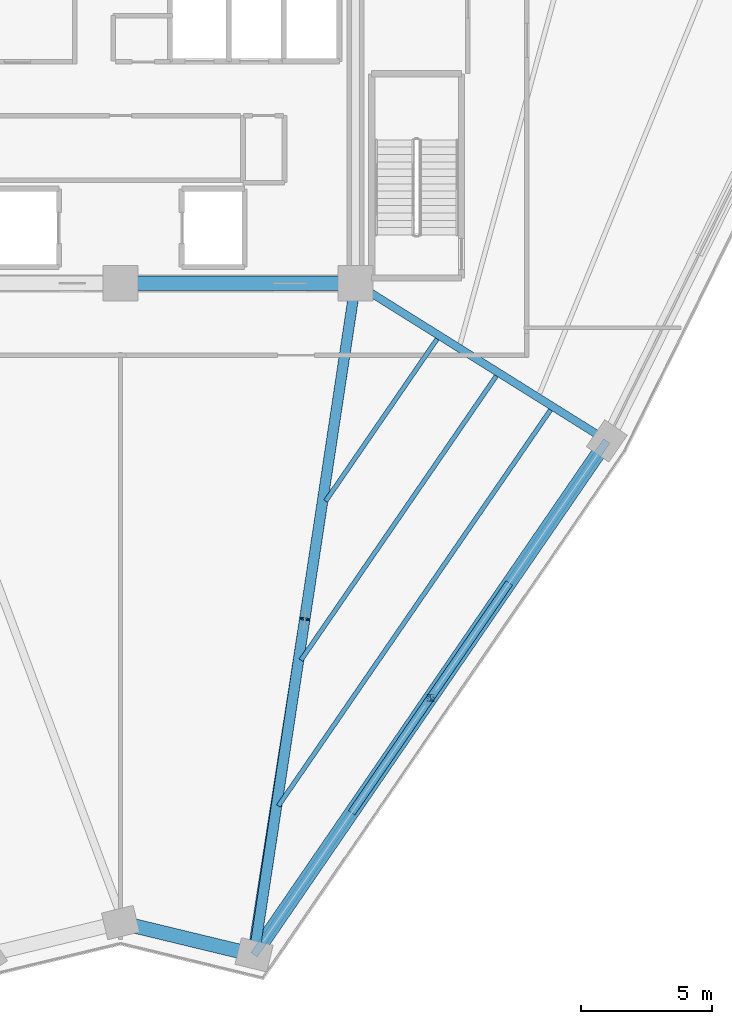
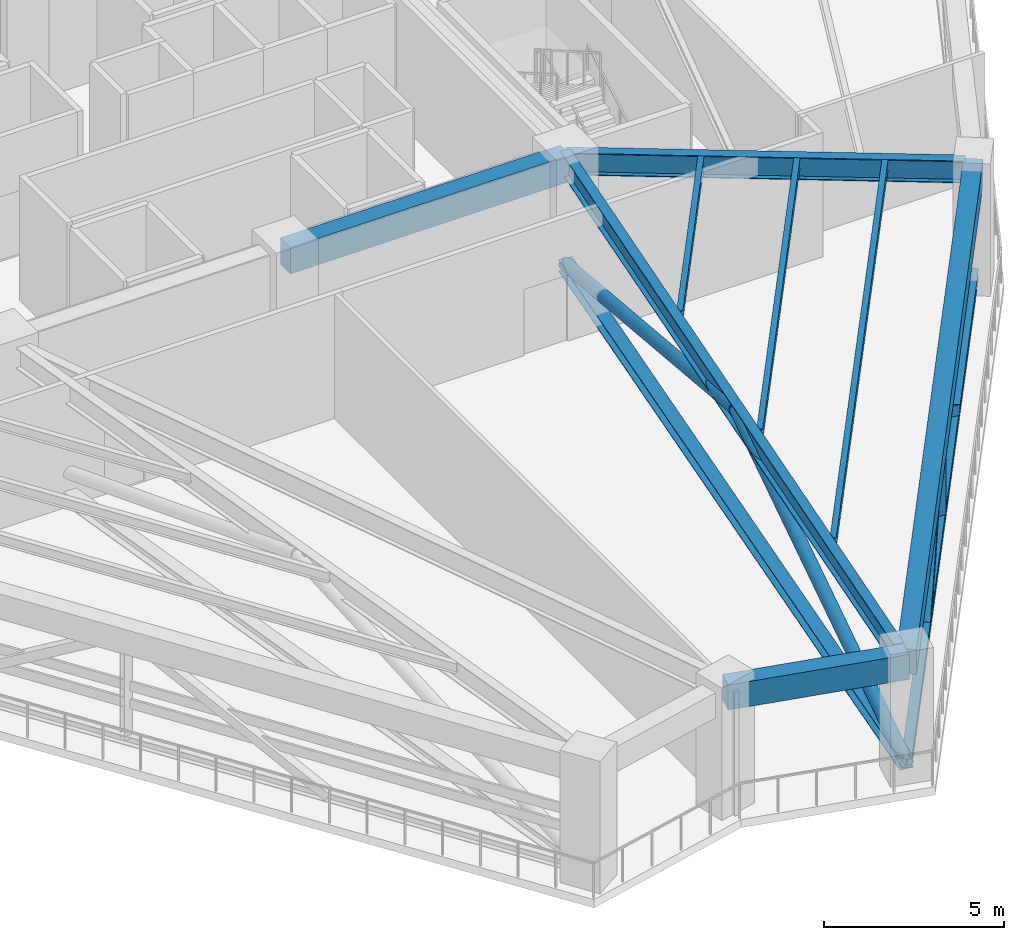
# One storey, part 3 of 22: 8 beams, 7 members.
"""IFC4 building model written with IfcOpenShell, lengths in metres."""

from ifc_helpers import new_model, si_unit, direction, frame, origin, origin_2d, place, context, subcontext, project, spatial, rectangle, hollow_rectangle, hollow_circle, i_section, extrude, source, transform, mapped, material, material_profile, profile_set, type_object, element, save


model = new_model("IFC4")

# Units and contexts
model_context = context("Model", 3, precision=1e-05, world=origin(), true_north=direction((0.0, 1.0)))
body_context = subcontext(model_context, "Body", "Model", "MODEL_VIEW")
ifc_project = project(units=[si_unit("LENGTHUNIT", "METRE"), si_unit("AREAUNIT", "SQUARE_METRE"), si_unit("VOLUMEUNIT", "CUBIC_METRE"), si_unit("PLANEANGLEUNIT", "RADIAN"), si_unit("MASSUNIT", "GRAM", prefix="KILO")], contexts=[model_context])

# Site, building, storey
site_placement = place(None, origin())
site = spatial("IfcSite", under=ifc_project, at=site_placement, CompositionType="ELEMENT")
building_placement = place(site_placement, origin())
building = spatial("IfcBuilding", under=site, at=building_placement, Name="Liaohun Quay Tower", CompositionType="ELEMENT")
storey_placement = place(building_placement, frame((0.0, 0.0, 277.5)))
storey = spatial("IfcBuildingStorey", under=building, at=storey_placement, Name="L72", CompositionType="ELEMENT", Elevation=277.5)

# Member
ifc_material_1 = material(Name="Steel Q355D", Category="steel")
ifc_material_profile_1 = material_profile(ifc_material_1, i_section(OverallWidth=0.25, OverallDepth=0.25, WebThickness=0.009033203125, FlangeThickness=0.013916015625, at=origin_2d()), Name="HW250x250x9x14")
ifc_profile_set_1 = profile_set([ifc_material_profile_1], Name="Steel Q355D")
member_type_1 = type_object("IfcMemberType", Name="MEM-BLT-PST", PredefinedType="POST", material=ifc_profile_set_1)
shared_shape_1 = source(origin(), body_context, "Body", "SweptSolid", [
    extrude(i_section(OverallWidth=0.25, OverallDepth=0.25, WebThickness=0.009033203125, FlangeThickness=0.013916015625, at=origin_2d()), origin(), (0.0, 0.0, 1.0), 3.56982421875),
])
member_1_placement = place(storey_placement, frame((71.8701171875, 30.6220703125, 0.35009765625), z_axis=(0.0, 0.0, 1.0), x_axis=(1.0, 0.0, 0.0)))
element("IfcMember", 1, at=member_1_placement, inside=storey, type_object=member_type_1, Name="L72 Belt Truss Vertical Post BP-1-06", PredefinedType="POST", context=body_context, shape_type="MappedRepresentation", body=[
    mapped(shared_shape_1, transform((0.0, 0.0, 0.0), x_axis=(1.0, 0.0, 0.0), y_axis=(0.0, 1.0, 0.0), z_axis=(0.0, 0.0, 1.0), scale=1.0)),
])

# Beams
ifc_material_2 = material(Name="Concrete C55", Category="concrete")
ifc_material_profile_2 = material_profile(ifc_material_2, rectangle(XDim=0.550048828125, YDim=0.89990234375, at=origin_2d()), Name="RC550x900")
ifc_profile_set_2 = profile_set([ifc_material_profile_2], Name="Concrete C55")
beam_type_1 = type_object("IfcBeamType", Name="BM-CPL-2", PredefinedType="LINTEL", material=ifc_profile_set_2)
shared_shape_2 = source(origin(), body_context, "Body", "SweptSolid", [
    extrude(rectangle(XDim=0.550048828125, YDim=0.89990234375, at=origin_2d()), origin(), (0.0, 0.0, 1.0), 9.0),
])
beam_1_placement = place(storey_placement, frame((60.0, 46.5, 3.77001953125), z_axis=(1.0, 0.0, 0.0), x_axis=(0.0, 1.0, 0.0)))
element("IfcBeam", 2, at=beam_1_placement, inside=storey, type_object=beam_type_1, Name="L72 Core Coupling/Ring Beam CC2-CC3", PredefinedType="LINTEL", context=body_context, shape_type="MappedRepresentation", body=[
    mapped(shared_shape_2, transform((0.0, 0.0, 0.0), x_axis=(1.0, 0.0, 0.0), y_axis=(0.0, 1.0, 0.0), z_axis=(0.0, 0.0, 1.0), scale=1.0)),
])
ifc_material_3 = material(Name="Precast concrete C50", Category="concrete")
ifc_material_profile_3 = material_profile(ifc_material_3, rectangle(XDim=0.550048828125, YDim=0.85009765625, at=origin_2d()), Name="RC550x850")
ifc_profile_set_3 = profile_set([ifc_material_profile_3], Name="Precast concrete C50")
beam_type_2 = type_object("IfcBeamType", Name="BM-SPD-Z3", PredefinedType="SPANDREL", material=ifc_profile_set_3)
shared_shape_3 = source(origin(), body_context, "Body", "SweptSolid", [
    extrude(rectangle(XDim=0.550048828125, YDim=0.85009765625, at=origin_2d()), origin(), (0.0, 0.0, 1.0), 23.870361328125),
])
beam_2_placement = place(storey_placement, frame((78.625, 40.4619140625, 3.794921875), z_axis=(-0.565933565048, -0.824450847505, 0.0), x_axis=(0.824450847505, -0.565933565048, 0.0)))
element("IfcBeam", 3, at=beam_2_placement, inside=storey, type_object=beam_type_2, Name="L72 Precast Spandrel Beam PC10-PC11", PredefinedType="SPANDREL", context=body_context, shape_type="MappedRepresentation", body=[
    mapped(shared_shape_3, transform((0.0, 0.0, 0.0), x_axis=(1.0, 0.0, 0.0), y_axis=(0.0, 1.0, 0.0), z_axis=(0.0, 0.0, 1.0), scale=1.0)),
])
shared_shape_4 = source(origin(), body_context, "Body", "SweptSolid", [
    extrude(rectangle(XDim=0.550048828125, YDim=0.85009765625, at=origin_2d()), origin(), (0.0, 0.0, 1.0), 5.262939453125),
])
beam_3_placement = place(storey_placement, frame((65.115966796875, 20.781982421875, 3.794921875), z_axis=(-0.972072721575, 0.234679832901, 0.0), x_axis=(-0.234679832901, -0.972072721575, 0.0)))
element("IfcBeam", 4, at=beam_3_placement, inside=storey, type_object=beam_type_2, Name="L72 Precast Spandrel Beam PC11-PC12", PredefinedType="SPANDREL", context=body_context, shape_type="MappedRepresentation", body=[
    mapped(shared_shape_4, transform((0.0, 0.0, 0.0), x_axis=(1.0, 0.0, 0.0), y_axis=(0.0, 1.0, 0.0), z_axis=(0.0, 0.0, 1.0), scale=1.0)),
])
ifc_material_profile_4 = material_profile(ifc_material_1, i_section(OverallWidth=0.300048828125, OverallDepth=0.75, WebThickness=0.013916015625, FlangeThickness=0.02587890625, at=origin_2d()), Name="HN750x300x14x26")
ifc_profile_set_4 = profile_set([ifc_material_profile_4], Name="Steel Q355D")
beam_type_3 = type_object("IfcBeamType", Name="BM-RAD-M2", PredefinedType="BEAM", material=ifc_profile_set_4)
shared_shape_5 = source(origin(), body_context, "Body", "SweptSolid", [
    extrude(i_section(OverallWidth=0.300048828125, OverallDepth=0.75, WebThickness=0.013916015625, FlangeThickness=0.02587890625, at=origin_2d()), origin(), (0.0, 0.0, 1.0), 11.1396484375),
])
beam_4_placement = place(storey_placement, frame((69.0, 46.5, 3.844970703125), z_axis=(0.847883776638, -0.530182139754, 0.0), x_axis=(0.530182139754, 0.847883776638, 0.0)))
element("IfcBeam", 5, at=beam_4_placement, inside=storey, type_object=beam_type_3, Name="L72 Radial Primary Girder CC3-PC10", PredefinedType="BEAM", context=body_context, shape_type="MappedRepresentation", body=[
    mapped(shared_shape_5, transform((0.0, 0.0, 0.0), x_axis=(1.0, 0.0, 0.0), y_axis=(0.0, 1.0, 0.0), z_axis=(0.0, 0.0, 1.0), scale=1.0)),
])
ifc_material_profile_5 = material_profile(ifc_material_1, i_section(OverallWidth=0.300048828125, OverallDepth=0.699951171875, WebThickness=0.012939453125, FlangeThickness=0.02392578125, at=origin_2d()), Name="HN700x300x13x24")
ifc_profile_set_5 = profile_set([ifc_material_profile_5], Name="Steel Q355D")
beam_type_4 = type_object("IfcBeamType", Name="BM-RAD-U1", PredefinedType="BEAM", material=ifc_profile_set_5)
shared_shape_6 = source(origin(), body_context, "Body", "SweptSolid", [
    extrude(i_section(OverallWidth=0.300048828125, OverallDepth=0.699951171875, WebThickness=0.012939453125, FlangeThickness=0.02392578125, at=origin_2d()), origin(), (0.0, 0.0, 1.0), 25.681640625),
])
beam_5_placement = place(storey_placement, frame((69.0, 46.5, 3.8701171875), z_axis=(-0.153338610232, -0.988173704675, 0.0), x_axis=(0.988173704675, -0.153338610232, 0.0)))
element("IfcBeam", 6, at=beam_5_placement, inside=storey, type_object=beam_type_4, Name="L72 Radial Primary Girder CC3-PC11", PredefinedType="BEAM", context=body_context, shape_type="MappedRepresentation", body=[
    mapped(shared_shape_6, transform((0.0, 0.0, 0.0), x_axis=(1.0, 0.0, 0.0), y_axis=(0.0, 1.0, 0.0), z_axis=(0.0, 0.0, 1.0), scale=1.0)),
])
ifc_material_profile_6 = material_profile(ifc_material_1, i_section(OverallWidth=0.175048828125, OverallDepth=0.35009765625, WebThickness=0.007080078125, FlangeThickness=0.010986328125, at=origin_2d()), Name="HN350x175x7x11")
ifc_profile_set_6 = profile_set([ifc_material_profile_6], Name="Steel Q355D")
beam_type_5 = type_object("IfcBeamType", Name="BM-SEC-J3", PredefinedType="JOIST", material=ifc_profile_set_6)
shared_shape_7 = source(origin(), body_context, "Body", "SweptSolid", [
    extrude(i_section(OverallWidth=0.175048828125, OverallDepth=0.35009765625, WebThickness=0.007080078125, FlangeThickness=0.010986328125, at=origin_2d()), origin(), (0.0, 0.0, 1.0), 7.53662109375),
])
beam_6_placement = place(storey_placement, frame((72.1259765625, 44.367919921875, 4.044921875), z_axis=(-0.566440831812, -0.824102411146, 0.0), x_axis=(0.824102411146, -0.566440831812, 0.0)))
element("IfcBeam", 7, at=beam_6_placement, inside=storey, type_object=beam_type_5, Name="L72 Wing Secondary Floor Joist SJ-12", PredefinedType="JOIST", context=body_context, shape_type="MappedRepresentation", body=[
    mapped(shared_shape_7, transform((0.0, 0.0, 0.0), x_axis=(1.0, 0.0, 0.0), y_axis=(0.0, 1.0, 0.0), z_axis=(0.0, 0.0, 1.0), scale=1.0)),
])
shared_shape_8 = source(origin(), body_context, "Body", "SweptSolid", [
    extrude(i_section(OverallWidth=0.175048828125, OverallDepth=0.35009765625, WebThickness=0.007080078125, FlangeThickness=0.010986328125, at=origin_2d()), origin(), (0.0, 0.0, 1.0), 13.207763671875),
])
beam_7_placement = place(storey_placement, frame((74.39306640625, 42.950927734375, 4.044921875), z_axis=(-0.566400944761, -0.8241298258, 0.0), x_axis=(0.8241298258, -0.566400944761, 0.0)))
element("IfcBeam", 8, at=beam_7_placement, inside=storey, type_object=beam_type_5, Name="L72 Wing Secondary Floor Joist SJ-13", PredefinedType="JOIST", context=body_context, shape_type="MappedRepresentation", body=[
    mapped(shared_shape_8, transform((0.0, 0.0, 0.0), x_axis=(1.0, 0.0, 0.0), y_axis=(0.0, 1.0, 0.0), z_axis=(0.0, 0.0, 1.0), scale=1.0)),
])
shared_shape_9 = source(origin(), body_context, "Body", "SweptSolid", [
    extrude(i_section(OverallWidth=0.175048828125, OverallDepth=0.35009765625, WebThickness=0.007080078125, FlangeThickness=0.010986328125, at=origin_2d()), origin(), (0.0, 0.0, 1.0), 18.405029296875),
])
beam_8_placement = place(storey_placement, frame((76.470947265625, 41.65087890625, 4.044921875), z_axis=(-0.566420729149, -0.824116228205, 0.0), x_axis=(0.824116228205, -0.566420729149, 0.0)))
element("IfcBeam", 9, at=beam_8_placement, inside=storey, type_object=beam_type_5, Name="L72 Wing Secondary Floor Joist SJ-14", PredefinedType="JOIST", context=body_context, shape_type="MappedRepresentation", body=[
    mapped(shared_shape_9, transform((0.0, 0.0, 0.0), x_axis=(1.0, 0.0, 0.0), y_axis=(0.0, 1.0, 0.0), z_axis=(0.0, 0.0, 1.0), scale=1.0)),
])

# Members
ifc_material_4 = material(Name="Steel Q420D", Category="steel")
ifc_material_profile_7 = material_profile(ifc_material_4, i_section(OverallWidth=0.407958984375, OverallDepth=0.39990234375, WebThickness=0.02099609375, FlangeThickness=0.02099609375, at=origin_2d()), Name="HW400x408x21x21")
ifc_profile_set_7 = profile_set([ifc_material_profile_7], Name="Steel Q420D")
member_type_2 = type_object("IfcMemberType", Name="MEM-OUT-CH2", PredefinedType="CHORD", material=ifc_profile_set_7)
shared_shape_10 = source(origin(), body_context, "Body", "SweptSolid", [
    extrude(i_section(OverallWidth=0.407958984375, OverallDepth=0.39990234375, WebThickness=0.02099609375, FlangeThickness=0.02099609375, at=origin_2d()), origin(), (0.0, 0.0, 1.0), 26.009765625),
])
member_2_placement = place(storey_placement, frame((69.0, 46.5, 0.35009765625), z_axis=(-0.149330440374, -0.988787348006, 0.0), x_axis=(0.988787348006, -0.149330440374, 0.0)))
element("IfcMember", 10, at=member_2_placement, inside=storey, type_object=member_type_2, Name="L72 Outrigger Bottom Chord OC-06", PredefinedType="CHORD", context=body_context, shape_type="MappedRepresentation", body=[
    mapped(shared_shape_10, transform((0.0, 0.0, 0.0), x_axis=(1.0, 0.0, 0.0), y_axis=(0.0, 1.0, 0.0), z_axis=(0.0, 0.0, 1.0), scale=1.0)),
])
ifc_material_profile_8 = material_profile(ifc_material_4, hollow_circle(Radius=0.202880859375, WallThickness=0.01611328125, at=origin_2d()), Name="CHS406x16")
ifc_profile_set_8 = profile_set([ifc_material_profile_8], Name="Steel Q420D")
member_type_3 = type_object("IfcMemberType", Name="MEM-OUT-DG2", PredefinedType="BRACE", material=ifc_profile_set_8)
shared_shape_11 = source(origin(), body_context, "Body", "SweptSolid", [
    extrude(hollow_circle(Radius=0.202880859375, WallThickness=0.01611328125, at=origin_2d()), origin(), (0.0, 0.0, 1.0), 13.48583984375),
])
member_3_placement = place(storey_placement, frame((69.0, 46.5, 0.35009765625), z_axis=(-0.143995990073, -0.953516318473, 0.264710757712), x_axis=(0.988788524652, -0.149322649043, 0.0)))
element("IfcMember", 11, at=member_3_placement, inside=storey, type_object=member_type_3, Name="L72 Outrigger Diagonal OD-06A", PredefinedType="BRACE", context=body_context, shape_type="MappedRepresentation", body=[
    mapped(shared_shape_11, transform((0.0, 0.0, 0.0), x_axis=(1.0, 0.0, 0.0), y_axis=(0.0, 1.0, 0.0), z_axis=(0.0, 0.0, 1.0), scale=1.0)),
])
shared_shape_12 = source(origin(), body_context, "Body", "SweptSolid", [
    extrude(hollow_circle(Radius=0.202880859375, WallThickness=0.01611328125, at=origin_2d()), origin(), (0.0, 0.0, 1.0), 13.486083984375),
])
member_4_placement = place(storey_placement, frame((67.05810546875, 33.64111328125, 3.919921875), z_axis=(-0.144011232301, -0.953515476623, -0.264705498266), x_axis=(0.988786171325, -0.14933823153, 0.0)))
element("IfcMember", 12, at=member_4_placement, inside=storey, type_object=member_type_3, Name="L72 Outrigger Diagonal OD-06B", PredefinedType="BRACE", context=body_context, shape_type="MappedRepresentation", body=[
    mapped(shared_shape_12, transform((0.0, 0.0, 0.0), x_axis=(1.0, 0.0, 0.0), y_axis=(0.0, 1.0, 0.0), z_axis=(0.0, 0.0, 1.0), scale=1.0)),
])
ifc_material_profile_9 = material_profile(ifc_material_1, i_section(OverallWidth=0.300048828125, OverallDepth=0.300048828125, WebThickness=0.010009765625, FlangeThickness=0.014892578125, at=origin_2d()), Name="HW300x300x10x15")
ifc_profile_set_9 = profile_set([ifc_material_profile_9], Name="Steel Q355D")
member_type_4 = type_object("IfcMemberType", Name="MEM-BLT-CHD", PredefinedType="CHORD", material=ifc_profile_set_9)
shared_shape_13 = source(origin(), body_context, "Body", "SweptSolid", [
    extrude(i_section(OverallWidth=0.300048828125, OverallDepth=0.300048828125, WebThickness=0.010009765625, FlangeThickness=0.014892578125, at=origin_2d()), origin(), (0.0, 0.0, 1.0), 23.870361328125),
])
member_5_placement = place(storey_placement, frame((78.625, 40.4619140625, 0.35009765625), z_axis=(-0.565933565048, -0.824450847505, 0.0), x_axis=(0.824450847505, -0.565933565048, 0.0)))
element("IfcMember", 13, at=member_5_placement, inside=storey, type_object=member_type_4, Name="L72 Belt Truss Bottom Chord BC-1-06", PredefinedType="CHORD", context=body_context, shape_type="MappedRepresentation", body=[
    mapped(shared_shape_13, transform((0.0, 0.0, 0.0), x_axis=(1.0, 0.0, 0.0), y_axis=(0.0, 1.0, 0.0), z_axis=(0.0, 0.0, 1.0), scale=1.0)),
])
ifc_material_profile_10 = material_profile(ifc_material_1, hollow_rectangle(XDim=0.300048828125, YDim=0.300048828125, WallThickness=0.013916015625, at=origin_2d()), Name="SHS300x300x14")
ifc_profile_set_10 = profile_set([ifc_material_profile_10], Name="Steel Q355D")
member_type_5 = type_object("IfcMemberType", Name="MEM-BLT-DG3", PredefinedType="BRACE", material=ifc_profile_set_10)
shared_shape_14 = source(origin(), body_context, "Body", "SweptSolid", [
    extrude(hollow_rectangle(XDim=0.300048828125, YDim=0.300048828125, WallThickness=0.013916015625, at=origin_2d()), origin(), (0.0, 0.0, 1.0), 6.35009765625),
])
member_6_placement = place(storey_placement, frame((74.842041015625, 34.951904296875, 0.35009765625), z_axis=(-0.4680140539, -0.681855684377, 0.562170499969), x_axis=(0.824471673671, -0.565903224336, 0.0)))
element("IfcMember", 14, at=member_6_placement, inside=storey, type_object=member_type_5, Name="L72 Belt Truss Diagonal BD-06A", PredefinedType="BRACE", context=body_context, shape_type="MappedRepresentation", body=[
    mapped(shared_shape_14, transform((0.0, 0.0, 0.0), x_axis=(1.0, 0.0, 0.0), y_axis=(0.0, 1.0, 0.0), z_axis=(0.0, 0.0, 1.0), scale=1.0)),
])
shared_shape_15 = source(origin(), body_context, "Body", "SweptSolid", [
    extrude(hollow_rectangle(XDim=0.300048828125, YDim=0.300048828125, WallThickness=0.013916015625, at=origin_2d()), origin(), (0.0, 0.0, 1.0), 6.349853515625),
])
member_7_placement = place(storey_placement, frame((71.8701171875, 30.6220703125, 3.919921875), z_axis=(-0.467911701892, -0.681913060375, -0.562186105593), x_axis=(0.824551626864, -0.565786721862, 0.0)))
element("IfcMember", 15, at=member_7_placement, inside=storey, type_object=member_type_5, Name="L72 Belt Truss Diagonal BD-06B", PredefinedType="BRACE", context=body_context, shape_type="MappedRepresentation", body=[
    mapped(shared_shape_15, transform((0.0, 0.0, 0.0), x_axis=(1.0, 0.0, 0.0), y_axis=(0.0, 1.0, 0.0), z_axis=(0.0, 0.0, 1.0), scale=1.0)),
])

save(model, "model.ifc")
